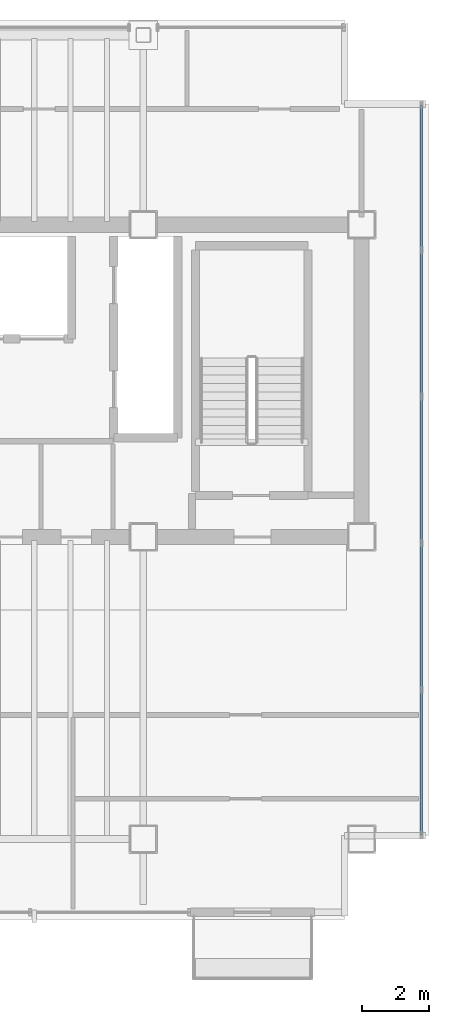
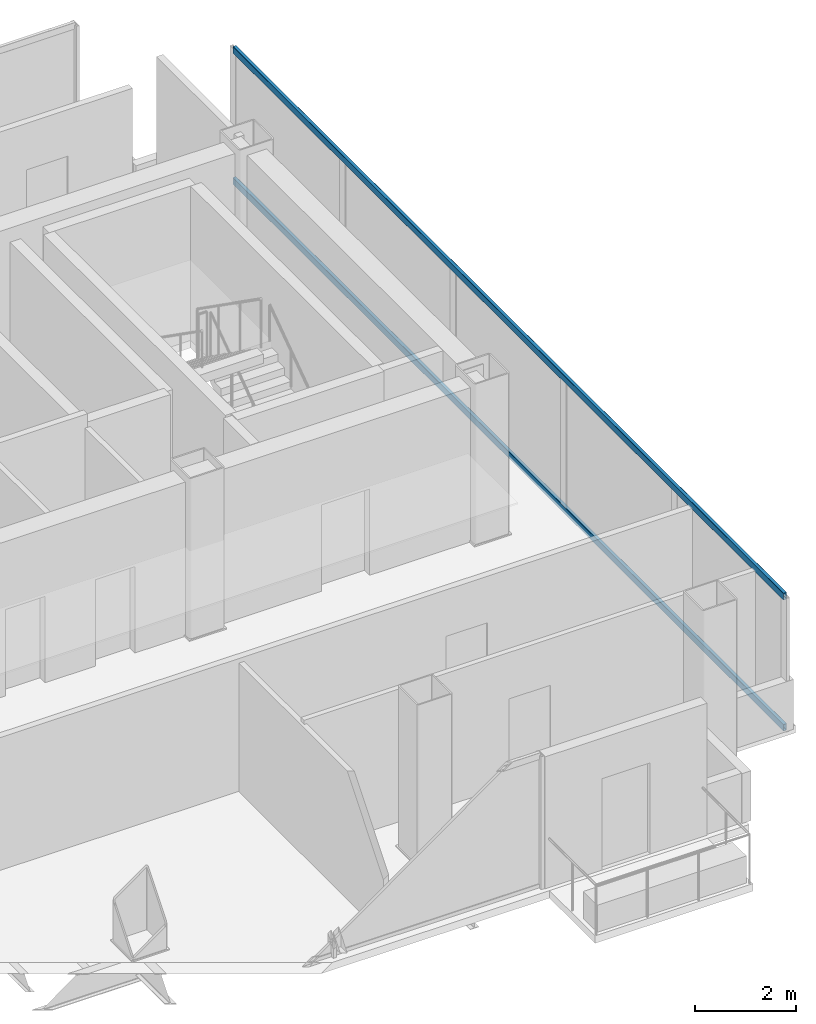
# One storey, part 12 of 17: 2 members, 1 element without a shape of its own.
"""IFC4 building model written with IfcOpenShell, lengths in metres."""

from ifc_helpers import new_model, si_unit, direction, frame, origin, origin_2d, place, context, subcontext, project, spatial, hollow_rectangle, extrude, material, material_profile, profile_set, type_object, element, aggregate, save


model = new_model("IFC4")

# Units and contexts
model_context = context("Model", 3, precision=1e-05, world=origin(), true_north=direction((0.0, 1.0)))
body_context = subcontext(model_context, "Body", "Model", "MODEL_VIEW")
ifc_project = project(units=[si_unit("LENGTHUNIT", "METRE"), si_unit("AREAUNIT", "SQUARE_METRE"), si_unit("VOLUMEUNIT", "CUBIC_METRE"), si_unit("PLANEANGLEUNIT", "RADIAN"), si_unit("MASSUNIT", "GRAM", prefix="KILO")], contexts=[model_context])

# Site, building, storey
site_placement = place(None, origin())
site = spatial("IfcSite", under=ifc_project, at=site_placement, CompositionType="ELEMENT")
building_placement = place(site_placement, origin())
building = spatial("IfcBuilding", under=site, at=building_placement, Name="Noeulbin Bourse Tower", CompositionType="ELEMENT")
storey_placement = place(building_placement, frame((0.0, 0.0, 261.800048828125)))
storey = spatial("IfcBuildingStorey", under=building, at=storey_placement, Name="L65", CompositionType="ELEMENT", Elevation=261.800048828125)

# Curtain wall, members
ifc_material_1 = material(Name="High-Selectivity Low-Iron Glazing", Category="glass")
curtain_wall_type = type_object("IfcCurtainWallType", Name="CW-SYS-4", PredefinedType="NOTDEFINED", material=ifc_material_1)
curtain_wall_placement = place(storey_placement, origin())
curtain_wall = element("IfcCurtainWall", 1, at=curtain_wall_placement, inside=storey, type_object=curtain_wall_type, Name="Unitised Curtain Wall CW-L65-E", PredefinedType="NOTDEFINED")
ifc_material_2 = material(Name="Anodised Aluminium 6063-T6", Category="aluminium")
ifc_material_profile = material_profile(ifc_material_2, hollow_rectangle(XDim=0.074951171875, YDim=0.159912109375, WallThickness=0.0048828125, InnerFilletRadius=0.00244140625, OuterFilletRadius=0.0048828125, at=origin_2d()), Name="ALU-TRAN-75x160x5", Category="LoadBearing")
ifc_profile_set = profile_set([ifc_material_profile], Name="Anodised Aluminium 6063-T6")
member_type = type_object("IfcMemberType", Name="CW-SYS-4-TRN", PredefinedType="USERDEFINED", material=ifc_profile_set)
member_1_placement = place(storey_placement, frame((45.780029296875, 20.1298828125, 0.010009765625), z_axis=(0.0, 1.0, 0.0), x_axis=(-1.0, 0.0, 0.0)))
member_1 = element("IfcMember", 2, at=member_1_placement, type_object=member_type, Name="Curtain Wall Transom CW-L65-E-T00", ObjectType="TRANSOM", PredefinedType="USERDEFINED", context=body_context, shape_type="SweptSolid", body=[
    extrude(hollow_rectangle(XDim=0.074951171875, YDim=0.159912109375, WallThickness=0.0048828125, InnerFilletRadius=0.00244140625, OuterFilletRadius=0.0048828125, at=origin_2d()), origin(), (0.0, 0.0, 1.0), 21.740234375),
])
member_2_placement = place(storey_placement, frame((45.780029296875, 20.1298828125, 3.169921875), z_axis=(0.0, 1.0, 0.0), x_axis=(-1.0, 0.0, 0.0)))
member_2 = element("IfcMember", 3, at=member_2_placement, type_object=member_type, Name="Curtain Wall Transom CW-L65-E-T01", ObjectType="TRANSOM", PredefinedType="USERDEFINED", context=body_context, shape_type="SweptSolid", body=[
    extrude(hollow_rectangle(XDim=0.074951171875, YDim=0.159912109375, WallThickness=0.0048828125, InnerFilletRadius=0.00244140625, OuterFilletRadius=0.0048828125, at=origin_2d()), origin(), (0.0, 0.0, 1.0), 21.740234375),
])
aggregate(curtain_wall, [member_1, member_2])

save(model, "model.ifc")
